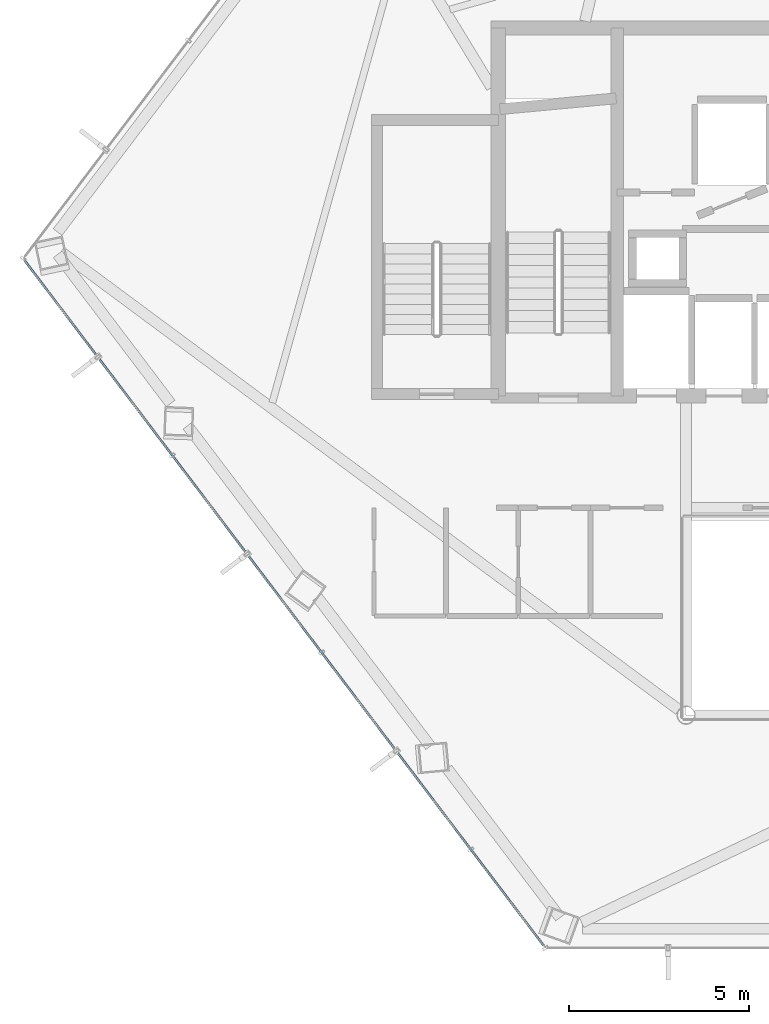
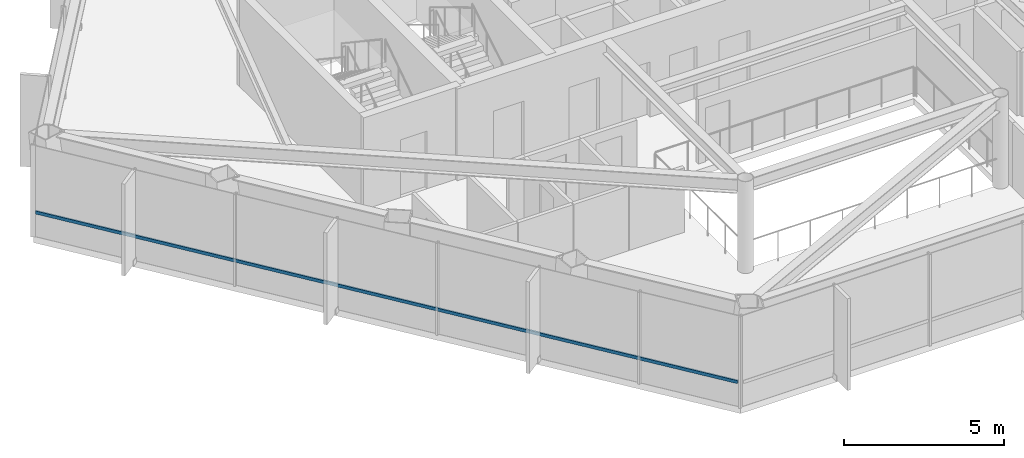
# One storey, part 3 of 29: 1 member, 1 element without a shape of its own.
"""IFC4 building model written with IfcOpenShell, lengths in metres."""

from ifc_helpers import new_model, si_unit, direction, frame, origin, origin_2d, place, context, subcontext, project, spatial, hollow_rectangle, extrude, material, layer, layer_set, material_profile, profile_set, type_object, element, aggregate, save


model = new_model("IFC4")

# Units and contexts
model_context = context("Model", 3, precision=1e-05, world=origin(), true_north=direction((0.0, 1.0)))
body_context = subcontext(model_context, "Body", "Model", "MODEL_VIEW")
ifc_project = project(units=[si_unit("LENGTHUNIT", "METRE"), si_unit("AREAUNIT", "SQUARE_METRE"), si_unit("VOLUMEUNIT", "CUBIC_METRE"), si_unit("PLANEANGLEUNIT", "RADIAN"), si_unit("MASSUNIT", "GRAM", prefix="KILO")], contexts=[model_context])

# Site, building, storey
site_placement = place(None, origin())
site = spatial("IfcSite", under=ifc_project, at=site_placement, CompositionType="ELEMENT")
building_placement = place(site_placement, origin())
building = spatial("IfcBuilding", under=site, at=building_placement, Name="Zarrinselat Tower", CompositionType="ELEMENT")
storey_placement = place(building_placement, frame((0.0, 0.0, 142.1201171875)))
storey = spatial("IfcBuildingStorey", under=building, at=storey_placement, Name="L34", CompositionType="ELEMENT", Elevation=142.1201171875)

# Curtain wall, member
ifc_material_1 = material(Name="Extruded Aluminium Alloy EN AW-6063 T6", Category="aluminium")
ifc_layer = layer(ifc_material_1, 0.175048828125)
ifc_layer_set = layer_set([ifc_layer], Name="Extruded Aluminium Alloy EN AW-6063 T6")
curtain_wall_type = type_object("IfcCurtainWallType", Name="CWS-HTL", PredefinedType="NOTDEFINED", material=ifc_layer_set)
curtain_wall_placement = place(storey_placement, origin())
curtain_wall = element("IfcCurtainWall", 1, at=curtain_wall_placement, inside=storey, type_object=curtain_wall_type, Name="L34 Unitised Curtain Wall CW-L34-E03", PredefinedType="NOTDEFINED")
ifc_material_2 = material(Name="Extruded Aluminium Alloy EN AW-6063 T6", Category="aluminium")
ifc_material_profile = material_profile(ifc_material_2, hollow_rectangle(XDim=0.06005859375, YDim=0.1201171875, WallThickness=0.00390625, at=origin_2d()), Name="RHS 120x60x4")
ifc_profile_set = profile_set([ifc_material_profile], Name="Extruded Aluminium Alloy EN AW-6063 T6")
member_type = type_object("IfcMemberType", Name="MEM-CW-TRN2", PredefinedType="USERDEFINED", material=ifc_profile_set)
member_placement = place(storey_placement, frame((15.476806640625, 36.988525390625, 0.949951171875), z_axis=(0.603861440437, -0.797089305381, 0.0), x_axis=(0.797089305381, 0.603861440437, 0.0)))
member = element("IfcMember", 2, at=member_placement, type_object=member_type, Name="CW-L34-E03 Transom 1", ObjectType="TRANSOM", PredefinedType="USERDEFINED", context=body_context, shape_type="SweptSolid", body=[
    extrude(hollow_rectangle(XDim=0.06005859375, YDim=0.1201171875, WallThickness=0.00390625, at=origin_2d()), origin(), (0.0, 0.0, 1.0), 23.80029296875),
])
aggregate(curtain_wall, [member])

save(model, "model.ifc")
